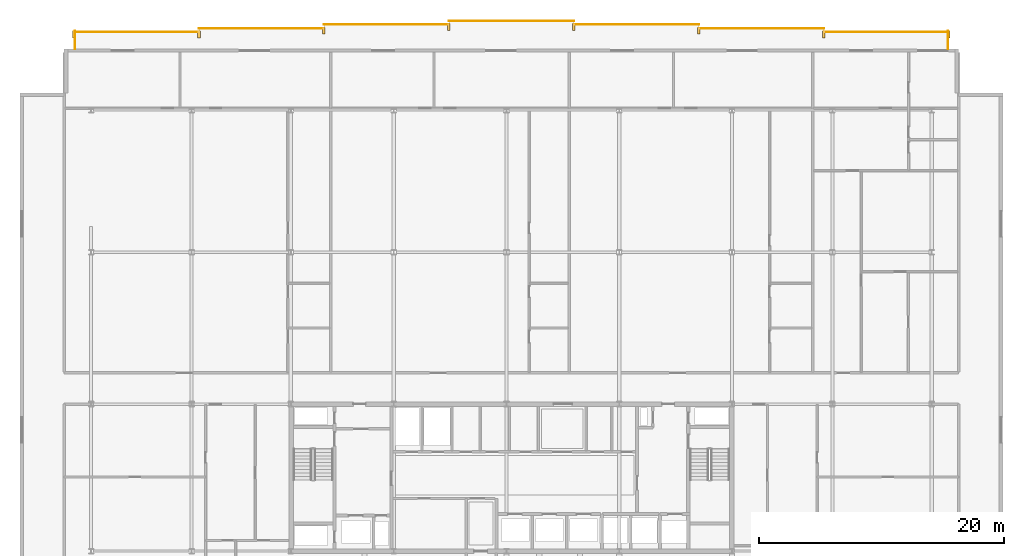
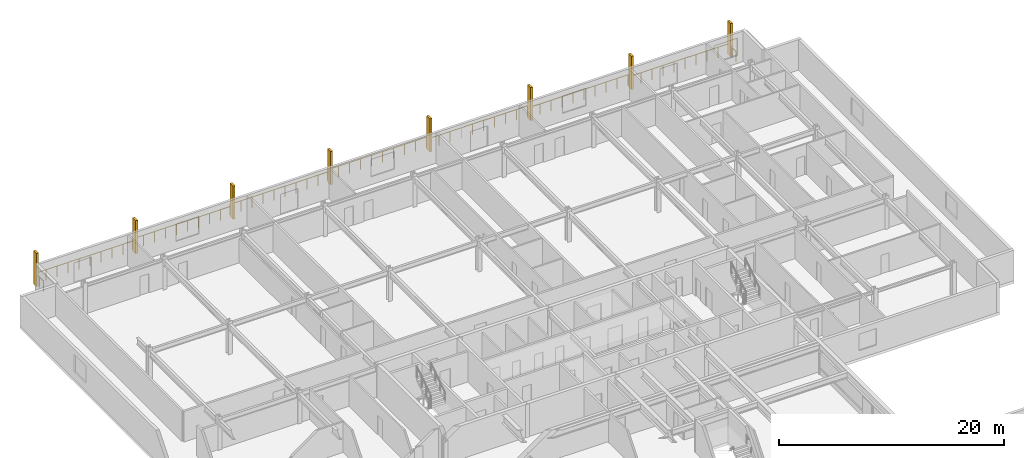
# One storey, part 35 of 35: 9 railings, 8 shading devices.
"""IFC4 building model written with IfcOpenShell, lengths in metres."""

from ifc_helpers import new_model, si_unit, direction, frame, origin, origin_2d, place, context, subcontext, project, spatial, rectangle, circle, extrude, material, type_object, element, save


model = new_model("IFC4")

# Units and contexts
model_context = context("Model", 3, precision=1e-05, world=origin(), true_north=direction((0.0, 1.0)))
body_context = subcontext(model_context, "Body", "Model", "MODEL_VIEW")
ifc_project = project(units=[si_unit("LENGTHUNIT", "METRE"), si_unit("AREAUNIT", "SQUARE_METRE"), si_unit("VOLUMEUNIT", "CUBIC_METRE"), si_unit("PLANEANGLEUNIT", "RADIAN"), si_unit("MASSUNIT", "GRAM", prefix="KILO")], contexts=[model_context])

# Site, building, storey
site_placement = place(None, origin())
site = spatial("IfcSite", under=ifc_project, at=site_placement, CompositionType="ELEMENT")
building_placement = place(site_placement, origin())
building = spatial("IfcBuilding", under=site, at=building_placement, Name="Korimba Cascade Residences", CompositionType="ELEMENT")
storey_placement = place(building_placement, frame((0.0, 0.0, 150.10009765625)))
storey = spatial("IfcBuildingStorey", under=building, at=storey_placement, Name="L43", CompositionType="ELEMENT", Elevation=150.10009765625)

# Railings
ifc_material_1 = material(Name="Laminated Glass and Bronze Balustrade", Category="glass")
railing_type = type_object("IfcRailingType", Name="RLG-LOG-1150", PredefinedType="BALUSTRADE", material=ifc_material_1)
railing_1_placement = place(storey_placement, frame((129.719970703125, 96.199951171875, 0.0)))
element("IfcRailing", 1, at=railing_1_placement, inside=storey, type_object=railing_type, Name="L43 Perimeter Guardrail RLG-L43-T1-LOG-01", PredefinedType="BALUSTRADE", context=body_context, shape_type="SweptSolid", body=[
    extrude(circle(Radius=0.02392578125, at=origin_2d()), frame((0.0, 0.0, 1.1259765625), z_axis=(0.0, 1.0, 0.0), x_axis=(-1.0, 0.0, 0.0)), (0.0, 0.0, 1.0), 1.449951171875),
    extrude(circle(Radius=0.02099609375, at=origin_2d()), origin(), (0.0, 0.0, 1.0), 1.101806640625),
    extrude(circle(Radius=0.02099609375, at=origin_2d()), frame((0.0, 0.72509765625, 0.0)), (0.0, 0.0, 1.0), 1.101806640625),
    extrude(circle(Radius=0.02099609375, at=origin_2d()), frame((0.0, 1.449951171875, 0.0)), (0.0, 0.0, 1.0), 1.101806640625),
])
railing_2_placement = place(storey_placement, frame((129.800048828125, 97.570068359375, 0.0)))
element("IfcRailing", 2, at=railing_2_placement, inside=storey, type_object=railing_type, Name="L43 Perimeter Guardrail RLG-L43-T1-LOG-02", PredefinedType="BALUSTRADE", context=body_context, shape_type="SweptSolid", body=[
    extrude(circle(Radius=0.02392578125, at=origin_2d()), frame((0.0, 0.0, 1.1259765625), z_axis=(-1.0, 0.0, 0.0), x_axis=(0.0, -1.0, 0.0)), (0.0, 0.0, 1.0), 10.199951171875),
    extrude(circle(Radius=0.02099609375, at=origin_2d()), origin(), (0.0, 0.0, 1.0), 1.101806640625),
    extrude(circle(Radius=0.02099609375, at=origin_2d()), frame((-1.13330078125, 0.0, 0.0)), (0.0, 0.0, 1.0), 1.101806640625),
    extrude(circle(Radius=0.02099609375, at=origin_2d()), frame((-2.2666015625, 0.0, 0.0)), (0.0, 0.0, 1.0), 1.101806640625),
    extrude(circle(Radius=0.02099609375, at=origin_2d()), frame((-3.39990234375, 0.0, 0.0)), (0.0, 0.0, 1.0), 1.101806640625),
    extrude(circle(Radius=0.02099609375, at=origin_2d()), frame((-4.533203125, 0.0, 0.0)), (0.0, 0.0, 1.0), 1.101806640625),
    extrude(circle(Radius=0.02099609375, at=origin_2d()), frame((-5.666748046875, 0.0, 0.0)), (0.0, 0.0, 1.0), 1.101806640625),
    extrude(circle(Radius=0.02099609375, at=origin_2d()), frame((-6.800048828125, 0.0, 0.0)), (0.0, 0.0, 1.0), 1.101806640625),
    extrude(circle(Radius=0.02099609375, at=origin_2d()), frame((-7.933349609375, 0.0, 0.0)), (0.0, 0.0, 1.0), 1.101806640625),
    extrude(circle(Radius=0.02099609375, at=origin_2d()), frame((-9.066650390625, 0.0, 0.0)), (0.0, 0.0, 1.0), 1.101806640625),
    extrude(circle(Radius=0.02099609375, at=origin_2d()), frame((-10.199951171875, 0.0, 0.0)), (0.0, 0.0, 1.0), 1.101806640625),
])
railing_3_placement = place(storey_placement, frame((119.60009765625, 97.8701171875, 0.0)))
element("IfcRailing", 3, at=railing_3_placement, inside=storey, type_object=railing_type, Name="L43 Perimeter Guardrail RLG-L43-T1-LOG-03", PredefinedType="BALUSTRADE", context=body_context, shape_type="SweptSolid", body=[
    extrude(circle(Radius=0.02392578125, at=origin_2d()), frame((0.0, 0.0, 1.1259765625), z_axis=(-1.0, 0.0, 0.0), x_axis=(0.0, -1.0, 0.0)), (0.0, 0.0, 1.0), 10.2001953125),
    extrude(circle(Radius=0.02099609375, at=origin_2d()), origin(), (0.0, 0.0, 1.0), 1.101806640625),
    extrude(circle(Radius=0.02099609375, at=origin_2d()), frame((-1.13330078125, 0.0, 0.0)), (0.0, 0.0, 1.0), 1.101806640625),
    extrude(circle(Radius=0.02099609375, at=origin_2d()), frame((-2.2666015625, 0.0, 0.0)), (0.0, 0.0, 1.0), 1.101806640625),
    extrude(circle(Radius=0.02099609375, at=origin_2d()), frame((-3.400146484375, 0.0, 0.0)), (0.0, 0.0, 1.0), 1.101806640625),
    extrude(circle(Radius=0.02099609375, at=origin_2d()), frame((-4.533447265625, 0.0, 0.0)), (0.0, 0.0, 1.0), 1.101806640625),
    extrude(circle(Radius=0.02099609375, at=origin_2d()), frame((-5.666748046875, 0.0, 0.0)), (0.0, 0.0, 1.0), 1.101806640625),
    extrude(circle(Radius=0.02099609375, at=origin_2d()), frame((-6.800048828125, 0.0, 0.0)), (0.0, 0.0, 1.0), 1.101806640625),
    extrude(circle(Radius=0.02099609375, at=origin_2d()), frame((-7.93359375, 0.0, 0.0)), (0.0, 0.0, 1.0), 1.101806640625),
    extrude(circle(Radius=0.02099609375, at=origin_2d()), frame((-9.06689453125, 0.0, 0.0)), (0.0, 0.0, 1.0), 1.101806640625),
    extrude(circle(Radius=0.02099609375, at=origin_2d()), frame((-10.2001953125, 0.0, 0.0)), (0.0, 0.0, 1.0), 1.101806640625),
])
for number, where, name in (
    (4, (109.39990234375, 98.169921875, 0.0), "L43 Perimeter Guardrail RLG-L43-T1-LOG-04"),
    (5, (99.199951171875, 98.469970703125, 0.0), "L43 Perimeter Guardrail RLG-L43-T1-LOG-05"),
    (6, (89.0, 98.169921875, 0.0), "L43 Perimeter Guardrail RLG-L43-T1-LOG-06"),
    (7, (78.800048828125, 97.8701171875, 0.0), "L43 Perimeter Guardrail RLG-L43-T1-LOG-07"),
):
    element("IfcRailing", number, at=place(storey_placement, frame(where)), inside=storey, type_object=railing_type, Name=name, PredefinedType="BALUSTRADE", context=body_context, shape_type="SweptSolid", body=[
        extrude(circle(Radius=0.02392578125, at=origin_2d()), frame((0.0, 0.0, 1.1259765625), z_axis=(-1.0, 0.0, 0.0), x_axis=(0.0, -1.0, 0.0)), (0.0, 0.0, 1.0), 10.199951171875),
        extrude(circle(Radius=0.02099609375, at=origin_2d()), origin(), (0.0, 0.0, 1.0), 1.101806640625),
        extrude(circle(Radius=0.02099609375, at=origin_2d()), frame((-1.13330078125, 0.0, 0.0)), (0.0, 0.0, 1.0), 1.101806640625),
        extrude(circle(Radius=0.02099609375, at=origin_2d()), frame((-2.2666015625, 0.0, 0.0)), (0.0, 0.0, 1.0), 1.101806640625),
        extrude(circle(Radius=0.02099609375, at=origin_2d()), frame((-3.39990234375, 0.0, 0.0)), (0.0, 0.0, 1.0), 1.101806640625),
        extrude(circle(Radius=0.02099609375, at=origin_2d()), frame((-4.533203125, 0.0, 0.0)), (0.0, 0.0, 1.0), 1.101806640625),
        extrude(circle(Radius=0.02099609375, at=origin_2d()), frame((-5.666748046875, 0.0, 0.0)), (0.0, 0.0, 1.0), 1.101806640625),
        extrude(circle(Radius=0.02099609375, at=origin_2d()), frame((-6.800048828125, 0.0, 0.0)), (0.0, 0.0, 1.0), 1.101806640625),
        extrude(circle(Radius=0.02099609375, at=origin_2d()), frame((-7.933349609375, 0.0, 0.0)), (0.0, 0.0, 1.0), 1.101806640625),
        extrude(circle(Radius=0.02099609375, at=origin_2d()), frame((-9.066650390625, 0.0, 0.0)), (0.0, 0.0, 1.0), 1.101806640625),
        extrude(circle(Radius=0.02099609375, at=origin_2d()), frame((-10.199951171875, 0.0, 0.0)), (0.0, 0.0, 1.0), 1.101806640625),
    ])
railing_4_placement = place(storey_placement, frame((68.60009765625, 97.570068359375, 0.0)))
element("IfcRailing", 8, at=railing_4_placement, inside=storey, type_object=railing_type, Name="L43 Perimeter Guardrail RLG-L43-T1-LOG-08", PredefinedType="BALUSTRADE", context=body_context, shape_type="SweptSolid", body=[
    extrude(circle(Radius=0.02392578125, at=origin_2d()), frame((0.0, 0.0, 1.1259765625), z_axis=(-1.0, 0.0, 0.0), x_axis=(0.0, -1.0, 0.0)), (0.0, 0.0, 1.0), 10.2001953125),
    extrude(circle(Radius=0.02099609375, at=origin_2d()), origin(), (0.0, 0.0, 1.0), 1.101806640625),
    extrude(circle(Radius=0.02099609375, at=origin_2d()), frame((-1.13330078125, 0.0, 0.0)), (0.0, 0.0, 1.0), 1.101806640625),
    extrude(circle(Radius=0.02099609375, at=origin_2d()), frame((-2.2666015625, 0.0, 0.0)), (0.0, 0.0, 1.0), 1.101806640625),
    extrude(circle(Radius=0.02099609375, at=origin_2d()), frame((-3.400146484375, 0.0, 0.0)), (0.0, 0.0, 1.0), 1.101806640625),
    extrude(circle(Radius=0.02099609375, at=origin_2d()), frame((-4.533447265625, 0.0, 0.0)), (0.0, 0.0, 1.0), 1.101806640625),
    extrude(circle(Radius=0.02099609375, at=origin_2d()), frame((-5.666748046875, 0.0, 0.0)), (0.0, 0.0, 1.0), 1.101806640625),
    extrude(circle(Radius=0.02099609375, at=origin_2d()), frame((-6.800048828125, 0.0, 0.0)), (0.0, 0.0, 1.0), 1.101806640625),
    extrude(circle(Radius=0.02099609375, at=origin_2d()), frame((-7.93359375, 0.0, 0.0)), (0.0, 0.0, 1.0), 1.101806640625),
    extrude(circle(Radius=0.02099609375, at=origin_2d()), frame((-9.06689453125, 0.0, 0.0)), (0.0, 0.0, 1.0), 1.101806640625),
    extrude(circle(Radius=0.02099609375, at=origin_2d()), frame((-10.2001953125, 0.0, 0.0)), (0.0, 0.0, 1.0), 1.101806640625),
])
railing_5_placement = place(storey_placement, frame((58.47998046875, 97.64990234375, 0.0)))
element("IfcRailing", 9, at=railing_5_placement, inside=storey, type_object=railing_type, Name="L43 Perimeter Guardrail RLG-L43-T1-LOG-09", PredefinedType="BALUSTRADE", context=body_context, shape_type="SweptSolid", body=[
    extrude(circle(Radius=0.02392578125, at=origin_2d()), frame((0.0, 0.0, 1.1259765625), z_axis=(0.0, -1.0, 0.0), x_axis=(1.0, 0.0, 0.0)), (0.0, 0.0, 1.0), 1.449951171875),
    extrude(circle(Radius=0.02099609375, at=origin_2d()), origin(), (0.0, 0.0, 1.0), 1.101806640625),
    extrude(circle(Radius=0.02099609375, at=origin_2d()), frame((0.0, -0.72509765625, 0.0)), (0.0, 0.0, 1.0), 1.101806640625),
    extrude(circle(Radius=0.02099609375, at=origin_2d()), frame((0.0, -1.449951171875, 0.0)), (0.0, 0.0, 1.0), 1.101806640625),
])

# Shading devices
ifc_material_2 = material(Name="Honed Sandstone Precast Fin", Category="masonry")
shading_device_type = type_object("IfcShadingDeviceType", Name="SHD-FIN-550", PredefinedType="USERDEFINED", material=ifc_material_2)
for number, where, z_axis, x_axis, name in (
    (10, (58.39990234375, 97.375, -0.000244140625), (0.0, 0.0, 1.0), (1.0, 0.0, 0.0), "L43 T1 Warm-Stone Loggia Fin 1"),
    (11, (68.60009765625, 97.375, -0.000244140625), (0.0, 0.0, 1.0), (1.0, 0.0, 0.0), "L43 T1 Warm-Stone Loggia Fin 2"),
    (12, (78.800048828125, 97.675048828125, -0.000244140625), (0.0, 0.0, 1.0), (1.0, 0.0, 0.0), "L43 T1 Warm-Stone Loggia Fin 3"),
    (13, (89.0, 97.97509765625, -0.000244140625), (0.0, 0.0, 1.0), (1.0, 0.0, 0.0), "L43 T1 Warm-Stone Loggia Fin 4"),
    (14, (99.199951171875, 97.97509765625, -0.000244140625), (0.0, 0.0, 1.0), (1.0, 0.0, 0.0), "L43 T1 Warm-Stone Loggia Fin 5"),
    (15, (109.39990234375, 97.675048828125, -0.000244140625), (0.0, 0.0, 1.0), (1.0, 0.0, 0.0), "L43 T1 Warm-Stone Loggia Fin 6"),
    (16, (119.60009765625, 97.375, -0.000244140625), (0.0, 0.0, 1.0), (1.0, 0.0, 0.0), "L43 T1 Warm-Stone Loggia Fin 7"),
    (17, (129.800048828125, 97.375, -0.000244140625), (0.0, 0.0, 1.0), (1.0, 0.0, 0.0), "L43 T1 Warm-Stone Loggia Fin 8"),
):
    element("IfcShadingDevice", number, at=place(storey_placement, frame(where, z_axis=z_axis, x_axis=x_axis)), inside=storey, type_object=shading_device_type, Name=name, ObjectType="FIN", PredefinedType="USERDEFINED", context=body_context, shape_type="SweptSolid", body=[
        extrude(rectangle(XDim=0.219970703125, YDim=0.550048828125, at=origin_2d()), origin(), (0.0, 0.0, 1.0), 3.60009765625),
    ])

save(model, "model.ifc")
